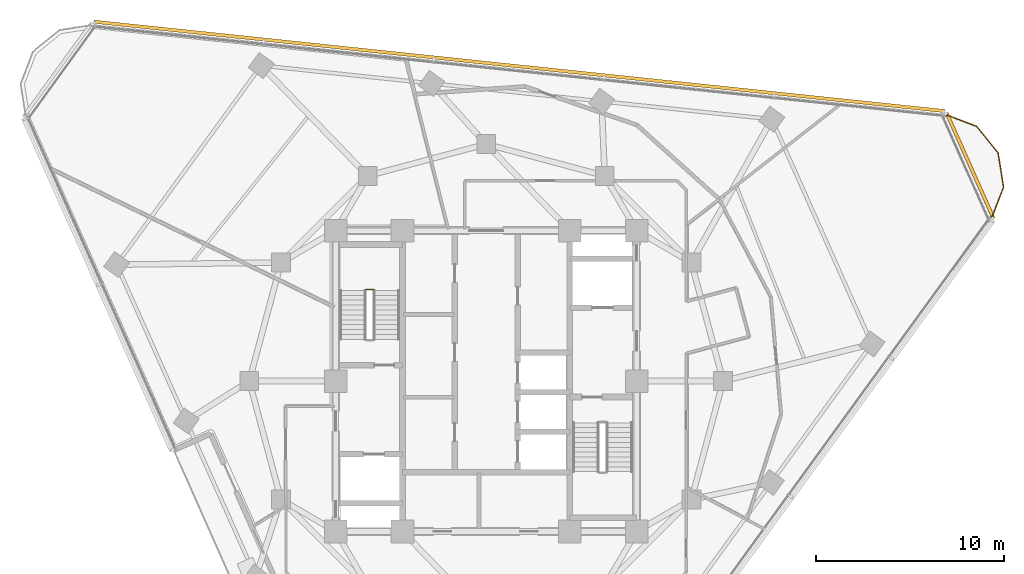
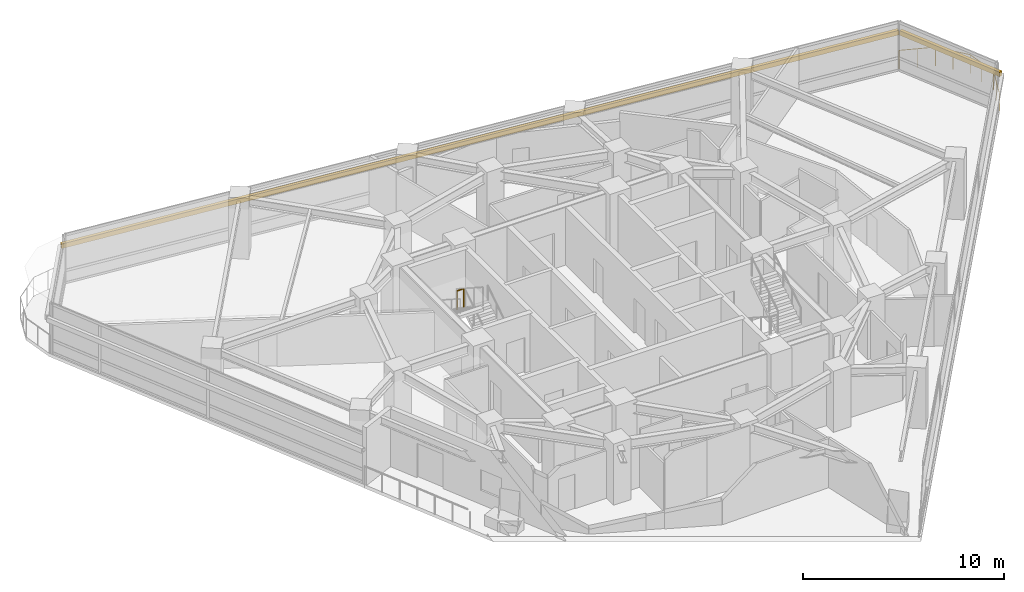
# One storey, part 14 of 14: 2 railings, 2 shading devices.
"""IFC4 building model written with IfcOpenShell, lengths in metres."""

from ifc_helpers import new_model, si_unit, direction, frame, origin, origin_2d, place, context, subcontext, project, spatial, rectangle, circle, extrude, material, layer, layer_set, type_object, element, save


model = new_model("IFC4")

# Units and contexts
model_context = context("Model", 3, precision=1e-05, world=origin(), true_north=direction((0.0, 1.0)))
body_context = subcontext(model_context, "Body", "Model", "MODEL_VIEW")
ifc_project = project(units=[si_unit("LENGTHUNIT", "METRE"), si_unit("AREAUNIT", "SQUARE_METRE"), si_unit("VOLUMEUNIT", "CUBIC_METRE"), si_unit("PLANEANGLEUNIT", "RADIAN"), si_unit("MASSUNIT", "GRAM", prefix="KILO")], contexts=[model_context])

# Site, building, storey
site_placement = place(None, origin())
site = spatial("IfcSite", under=ifc_project, at=site_placement, CompositionType="ELEMENT")
building_placement = place(site_placement, origin())
building = spatial("IfcBuilding", under=site, at=building_placement, Name="Terralouvre Media Tower", CompositionType="ELEMENT")
storey_placement = place(building_placement, frame((0.0, 0.0, 226.300048828125)))
storey = spatial("IfcBuildingStorey", under=building, at=storey_placement, Name="L58", CompositionType="ELEMENT", Elevation=226.300048828125)

# Railings
ifc_material_1 = material(Name="Stainless steel 316 handrail and balustrade", Category="steel")
ifc_layer_1 = layer(ifc_material_1, 0.06005859375, Name="Roof Edge Safety Guardrail GR-ROOF1")
ifc_layer_set_1 = layer_set([ifc_layer_1], Name="Stainless steel 316 handrail and balustrade")
railing_type_1 = type_object("IfcRailingType", Name="Roof Edge Safety Guardrail GR-ROOF1", PredefinedType="GUARDRAIL", material=ifc_layer_set_1)
railing_1_placement = place(storey_placement, frame((26.85595703125, 8.593505859375, 0.0)))
element("IfcRailing", 1, at=railing_1_placement, inside=storey, type_object=railing_type_1, Name="L58 Wind-Corner Perimeter Safety Guardrail C1", PredefinedType="GUARDRAIL", context=body_context, shape_type="SweptSolid", body=[
    extrude(circle(Radius=0.02099609375, at=origin_2d()), frame((0.0, 0.0, 1.12890625), z_axis=(0.358685184164, 0.933458589688, 0.0), x_axis=(-0.933458589688, 0.358685184164, 0.0)), (0.0, 0.0, 1.0), 1.837158203125),
    extrude(circle(Radius=0.02099609375, at=origin_2d()), frame((0.658935546875, 1.71484375, 1.12890625), z_axis=(-0.156310663238, 0.987707940921, 0.0), x_axis=(-0.987707940921, -0.156310663238, 0.0)), (0.0, 0.0, 1.0), 1.836669921875),
    extrude(circle(Radius=0.02099609375, at=origin_2d()), frame((0.371826171875, 3.529052734375, 1.12890625), z_axis=(-0.629481130122, 0.777015769995, 0.0), x_axis=(-0.777015769995, -0.629481130122, 0.0)), (0.0, 0.0, 1.0), 1.8369140625),
    extrude(circle(Radius=0.02099609375, at=origin_2d()), frame((-0.784423828125, 4.956298828125, 1.12890625), z_axis=(-0.933653545479, 0.358177409974, 0.0), x_axis=(-0.358177409974, -0.933653545479, 0.0)), (0.0, 0.0, 1.0), 1.8369140625),
    extrude(circle(Radius=0.01904296875, at=origin_2d()), origin(), (0.0, 0.0, 1.0), 1.10791015625),
    extrude(circle(Radius=0.01904296875, at=origin_2d()), frame((0.32958984375, 0.857421875, 0.0)), (0.0, 0.0, 1.0), 1.10791015625),
    extrude(circle(Radius=0.01904296875, at=origin_2d()), frame((0.658935546875, 1.71484375, 0.0)), (0.0, 0.0, 1.0), 1.10791015625),
    extrude(circle(Radius=0.01904296875, at=origin_2d()), frame((0.515380859375, 2.6220703125, 0.0)), (0.0, 0.0, 1.0), 1.10791015625),
    extrude(circle(Radius=0.01904296875, at=origin_2d()), frame((0.371826171875, 3.529052734375, 0.0)), (0.0, 0.0, 1.0), 1.10791015625),
    extrude(circle(Radius=0.01904296875, at=origin_2d()), frame((-0.206298828125, 4.24267578125, 0.0)), (0.0, 0.0, 1.0), 1.10791015625),
    extrude(circle(Radius=0.01904296875, at=origin_2d()), frame((-0.784423828125, 4.956298828125, 0.0)), (0.0, 0.0, 1.0), 1.10791015625),
    extrude(circle(Radius=0.01904296875, at=origin_2d()), frame((-1.64208984375, 5.28515625, 0.0)), (0.0, 0.0, 1.0), 1.10791015625),
    extrude(circle(Radius=0.01904296875, at=origin_2d()), frame((-2.49951171875, 5.6142578125, 0.0)), (0.0, 0.0, 1.0), 1.10791015625),
])
ifc_material_2 = material(Name="Stainless steel 316 handrail and balustrade", Category="steel")
ifc_layer_2 = layer(ifc_material_2, 0.050048828125, Name="Stairwell Safety Guardrail GR-INT1")
ifc_layer_set_2 = layer_set([ifc_layer_2], Name="Stainless steel 316 handrail and balustrade")
railing_type_2 = type_object("IfcRailingType", Name="Stairwell Safety Guardrail GR-INT1", PredefinedType="GUARDRAIL", material=ifc_layer_set_2)
railing_2_placement = place(storey_placement, frame((-6.0, 4.8701171875, 1.849853515625)))
element("IfcRailing", 2, at=railing_2_placement, inside=storey, type_object=railing_type_2, Name="L58 ST-01 stair guard 2", PredefinedType="GUARDRAIL", context=body_context, shape_type="SweptSolid", body=[
    extrude(circle(Radius=0.02392578125, at=origin_2d()), frame((0.0, 0.0, 1.1259765625), z_axis=(-1.0, 0.0, 0.0), x_axis=(0.0, -1.0, 0.0)), (0.0, 0.0, 1.0), 0.3798828125),
    extrude(circle(Radius=0.02099609375, at=origin_2d()), origin(), (0.0, 0.0, 1.0), 1.101806640625),
    extrude(circle(Radius=0.02099609375, at=origin_2d()), frame((-0.3798828125, 0.0, 0.0)), (0.0, 0.0, 1.0), 1.101806640625),
])

# Shading devices
ifc_material_3 = material(Name="Extruded terracotta baguette sunshade louvres", Category="masonry")
shading_device_type = type_object("IfcShadingDeviceType", Name="Terracotta Baguette Sunshade Louvre Screen TB-LV1", PredefinedType="USERDEFINED", material=ifc_material_3)
shading_device_1_placement = place(storey_placement, frame((1.758544921875, 16.732666015625, 2.02392578125), z_axis=(0.0, 0.0, 1.0), x_axis=(-0.994521885028, 0.104528561651, 0.0)))
element("IfcShadingDevice", 3, at=shading_device_1_placement, inside=storey, type_object=shading_device_type, Name="CW-L58-F1 Terracotta Baguette Sunshade Louvre", ObjectType="BAGUETTE", PredefinedType="USERDEFINED", context=body_context, shape_type="SweptSolid", body=[
    extrude(rectangle(XDim=45.5, YDim=0.179931640625, at=origin_2d()), origin(), (0.0, 0.0, 1.0), 0.280029296875),
])
shading_device_2_placement = place(storey_placement, frame((25.7294921875, 11.45556640625, 2.02392578125), z_axis=(0.0, 0.0, 1.0), x_axis=(-0.406737441315, 0.913545102243, 0.0)))
element("IfcShadingDevice", 4, at=shading_device_2_placement, inside=storey, type_object=shading_device_type, Name="CW-L58-C1 Terracotta Baguette Sunshade Louvre", ObjectType="BAGUETTE", PredefinedType="USERDEFINED", context=body_context, shape_type="SweptSolid", body=[
    extrude(rectangle(XDim=6.148681640625, YDim=0.179931640625, at=origin_2d()), origin(), (0.0, 0.0, 1.0), 0.280029296875),
])

save(model, "model.ifc")
